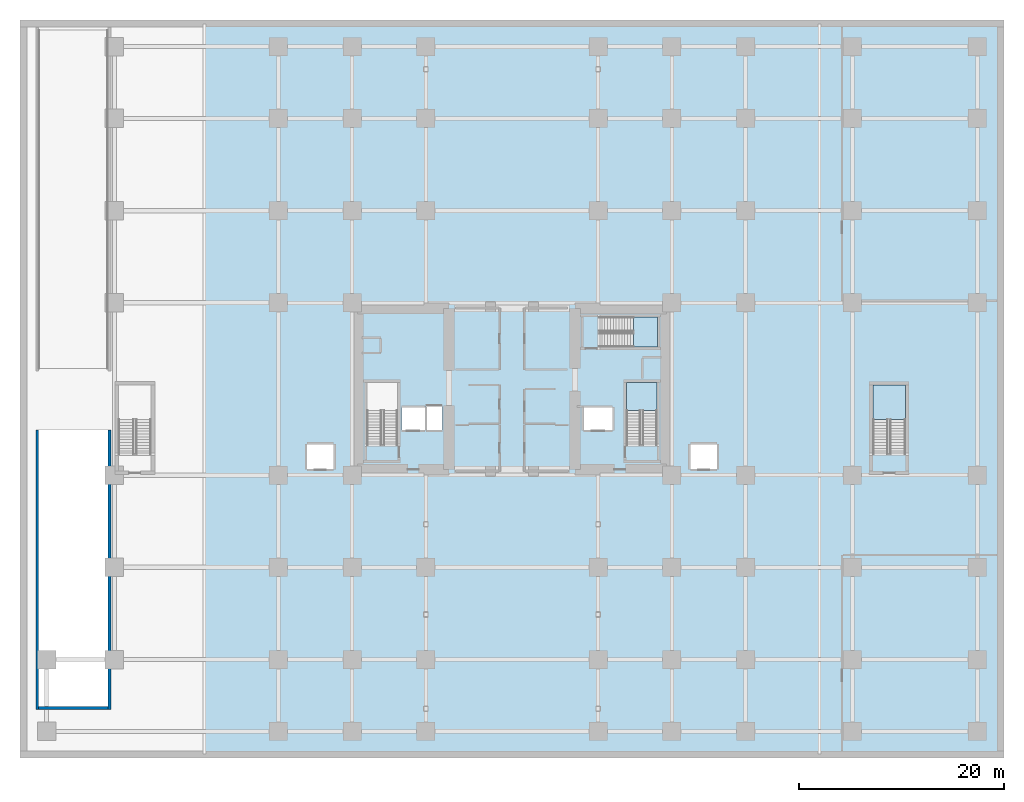
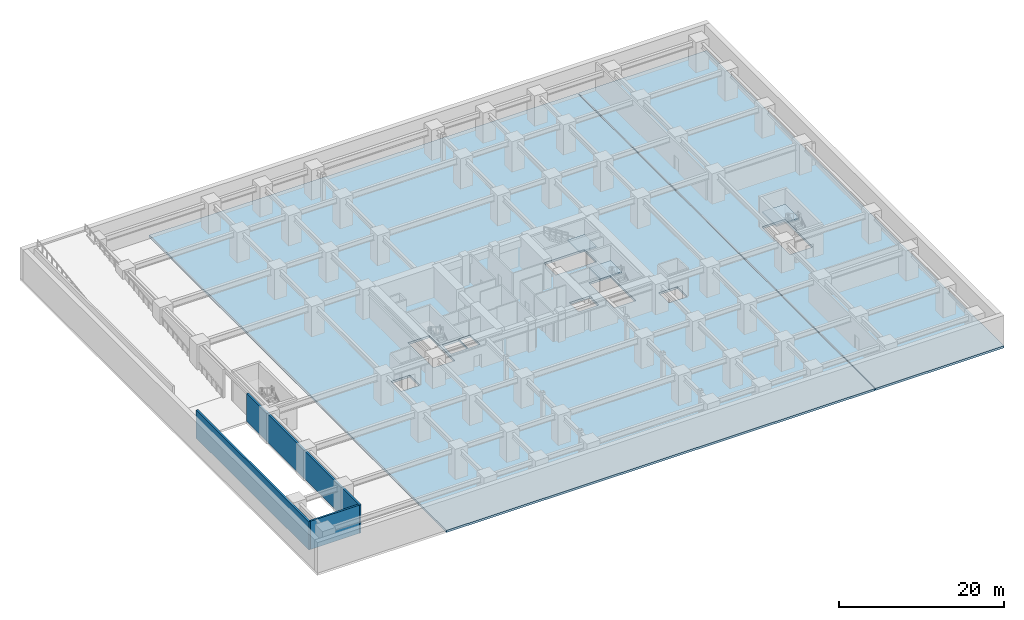
# One storey, part 6 of 20: 5 slabs, 3 walls, 3 elements without a shape of their own.
"""IFC4 building model written with IfcOpenShell, lengths in metres."""

from ifc_helpers import new_model, si_unit, direction, frame, frame_2d, origin, place, context, subcontext, project, spatial, polyline, rectangle, outline, extrude, material, layer, layer_set, type_object, element, aggregate, save


model = new_model("IFC4")

# Units and contexts
model_context = context("Model", 3, precision=1e-05, world=origin(), true_north=direction((0.0, 1.0)))
body_context = subcontext(model_context, "Body", "Model", "MODEL_VIEW")
ifc_project = project(units=[si_unit("LENGTHUNIT", "METRE"), si_unit("AREAUNIT", "SQUARE_METRE"), si_unit("VOLUMEUNIT", "CUBIC_METRE"), si_unit("PLANEANGLEUNIT", "RADIAN"), si_unit("MASSUNIT", "GRAM", prefix="KILO")], contexts=[model_context])

# Site, building, storey
site_placement = place(None, origin())
site = spatial("IfcSite", under=ifc_project, at=site_placement, CompositionType="ELEMENT")
building_placement = place(site_placement, origin())
building = spatial("IfcBuilding", under=site, at=building_placement, Name="Kiyonajd Concourse Tower", CompositionType="ELEMENT")
storey_placement = place(building_placement, frame((0.0, 0.0, -4.5)))
storey = spatial("IfcBuildingStorey", under=building, at=storey_placement, Name="B1", CompositionType="ELEMENT", Elevation=-4.5)

# Stair, slab
ifc_material_1 = material(Name="Concrete C40/50", Category="concrete")
stair_type_1 = type_object("IfcStairType", Name="ST-DLG-26R", PredefinedType="HALF_TURN_STAIR", material=ifc_material_1)
stair_1_placement = place(storey_placement, origin())
stair_1 = element("IfcStair", 1, at=stair_1_placement, inside=storey, type_object=stair_type_1, Name="B1 Protected Exit Stair ST2", PredefinedType="HALF_TURN_STAIR")
ifc_layer_1 = layer(ifc_material_1, 0.199951171875)
ifc_layer_set_1 = layer_set([ifc_layer_1], Name="Concrete C40/50")
slab_type_1 = type_object("IfcSlabType", Name="SL-LND-200", PredefinedType="LANDING", material=ifc_layer_set_1)
slab_1_placement = place(storey_placement, frame((0.0, 0.0, 2.050048828125)))
slab_1 = element("IfcSlab", 2, at=slab_1_placement, type_object=slab_type_1, Name="ST2 landing 1", PredefinedType="LANDING", context=body_context, shape_type="SweptSolid", body=[
    extrude(outline(polyline([(62.14990234375, 33.909912109375), (62.14990234375, 36.64990234375), (59.14990234375, 36.64990234375), (59.14990234375, 33.909912109375), (62.14990234375, 33.909912109375)])), origin(), (0.0, 0.0, 1.0), 0.199951171875),
])
aggregate(stair_1, [slab_1])

stair_2_placement = place(storey_placement, origin())
stair_2 = element("IfcStair", 3, at=stair_2_placement, inside=storey, type_object=stair_type_1, Name="B1 Protected Exit Stair ST3", PredefinedType="HALF_TURN_STAIR")
slab_2_placement = place(storey_placement, frame((0.0, 0.0, 2.050048828125)))
slab_2 = element("IfcSlab", 4, at=slab_2_placement, type_object=slab_type_1, Name="ST3 landing 1", PredefinedType="LANDING", context=body_context, shape_type="SweptSolid", body=[
    extrude(outline(polyline([(59.840087890625, 40.080078125), (62.179931640625, 40.080078125), (62.179931640625, 43.02001953125), (59.840087890625, 43.02001953125), (59.840087890625, 40.080078125)])), origin(), (0.0, 0.0, 1.0), 0.199951171875),
])
aggregate(stair_2, [slab_2])

stair_type_2 = type_object("IfcStairType", Name="ST-POD-1500", PredefinedType="HALF_TURN_STAIR", material=ifc_material_1)
stair_3_placement = place(storey_placement, origin())
stair_3 = element("IfcStair", 5, at=stair_3_placement, inside=storey, type_object=stair_type_2, Name="B1 East Podium Exit Stair ST5", PredefinedType="HALF_TURN_STAIR")
slab_3_placement = place(storey_placement, frame((0.0, 0.0, 2.050048828125)))
slab_3 = element("IfcSlab", 6, at=slab_3_placement, type_object=slab_type_1, Name="ST5 landing 1", PredefinedType="LANDING", context=body_context, shape_type="SweptSolid", body=[
    extrude(outline(polyline([(86.39990234375, 33.010009765625), (86.39990234375, 36.39990234375), (83.199951171875, 36.39990234375), (83.199951171875, 33.010009765625), (86.39990234375, 33.010009765625)])), origin(), (0.0, 0.0, 1.0), 0.199951171875),
])
aggregate(stair_3, [slab_3])

# Slabs
ifc_layer_2 = layer(ifc_material_1, 0.320068359375)
ifc_layer_set_2 = layer_set([ifc_layer_2], Name="Concrete C40/50")
slab_type_2 = type_object("IfcSlabType", Name="SL-POD-320", PredefinedType="FLOOR", material=ifc_layer_set_2)
slab_4_placement = place(storey_placement, frame((0.0, 0.0, -0.320068359375)))
element("IfcSlab", 7, at=slab_4_placement, inside=storey, type_object=slab_type_2, Name="B1 Central Tower Zone Podium Structural Floor Slab", PredefinedType="FLOOR", context=body_context, shape_type="SweptSolid", body=[
    extrude(outline(polyline([(18.06005859375, 0.0), (77.93994140625, 0.0), (77.93994140625, 72.0), (18.06005859375, 72.0), (18.06005859375, 0.0)]), holes=[polyline([(30.60009765625, 28.199951171875), (28.0, 28.199951171875), (28.0, 30.60009765625), (30.60009765625, 30.60009765625), (30.60009765625, 28.199951171875)]), polyline([(37.199951171875, 32.0), (37.199951171875, 34.199951171875), (39.5, 34.199951171875), (39.5, 32.0), (37.199951171875, 32.0)]), polyline([(39.60009765625, 32.0), (39.60009765625, 34.300048828125), (41.199951171875, 34.300048828125), (41.199951171875, 32.0), (39.60009765625, 32.0)]), polyline([(36.85009765625, 30.550048828125), (33.85009765625, 30.550048828125), (33.85009765625, 36.64990234375), (36.85009765625, 36.64990234375), (36.85009765625, 30.550048828125)]), polyline([(65.39990234375, 28.199951171875), (65.39990234375, 30.60009765625), (68.0, 30.60009765625), (68.0, 28.199951171875), (65.39990234375, 28.199951171875)]), polyline([(57.800048828125, 32.0), (55.0, 32.0), (55.0, 34.199951171875), (57.800048828125, 34.199951171875), (57.800048828125, 32.0)]), polyline([(59.14990234375, 30.550048828125), (59.14990234375, 36.64990234375), (62.14990234375, 36.64990234375), (62.14990234375, 30.550048828125), (59.14990234375, 30.550048828125)]), polyline([(56.47998046875, 43.02001953125), (62.179931640625, 43.02001953125), (62.179931640625, 40.080078125), (56.47998046875, 40.080078125), (56.47998046875, 43.02001953125)])]), origin(), (0.0, 0.0, 1.0), 0.320068359375),
])
slab_5_placement = place(storey_placement, frame((0.0, 0.0, -0.320068359375)))
element("IfcSlab", 8, at=slab_5_placement, inside=storey, type_object=slab_type_2, Name="B1 East Wing Podium Structural Floor Slab", PredefinedType="FLOOR", context=body_context, shape_type="SweptSolid", body=[
    extrude(outline(polyline([(78.06005859375, 0.0), (96.0, 0.0), (96.0, 72.0), (78.06005859375, 72.0), (78.06005859375, 0.0)]), holes=[polyline([(83.199951171875, 29.64990234375), (83.199951171875, 36.39990234375), (86.39990234375, 36.39990234375), (86.39990234375, 29.64990234375), (83.199951171875, 29.64990234375)])]), origin(), (0.0, 0.0, 1.0), 0.320068359375),
])

# Walls
ifc_material_2 = material(Name="Concrete C50/60", Category="concrete")
ifc_layer_3 = layer(ifc_material_2, 0.260009765625)
ifc_layer_set_3 = layer_set([ifc_layer_3], Name="Concrete C50/60")
wall_type = type_object("IfcWallType", Name="WL-STAIR-260", PredefinedType="SHEAR", material=ifc_layer_set_3)
for number, where, z_axis, x_axis, name in (
    (9, (1.669921875, 4.739990234375, 0.0), (0.0, 0.0, 1.0), (0.0, 1.0, 0.0), "B1 Lower Ramp Well West Structural Wall"),
    (10, (8.72998046875, 4.739990234375, 0.0), (0.0, 0.0, 1.0), (0.0, 1.0, 0.0), "B1 Lower Ramp Well East Structural Wall"),
):
    element("IfcWall", number, at=place(storey_placement, frame(where, z_axis=z_axis, x_axis=x_axis)), inside=storey, type_object=wall_type, Name=name, PredefinedType="SHEAR", context=body_context, shape_type="SweptSolid", body=[
        extrude(rectangle(XDim=27.260009765625, YDim=0.260009765625, at=frame_2d((13.6298828125, 0.0))), origin(), (0.0, 0.0, 1.0), 4.179931640625),
    ])
wall_placement = place(storey_placement, frame((1.800048828125, 4.8701171875, 0.0), z_axis=(0.0, 0.0, 1.0), x_axis=(1.0, 0.0, 0.0)))
element("IfcWall", 11, at=wall_placement, inside=storey, type_object=wall_type, Name="B1 Lower Ramp Well South Structural Wall", PredefinedType="SHEAR", context=body_context, shape_type="SweptSolid", body=[
    extrude(rectangle(XDim=6.800048828125, YDim=0.260009765625, at=frame_2d((3.39990234375, 0.0))), origin(), (0.0, 0.0, 1.0), 4.179931640625),
])

save(model, "model.ifc")
